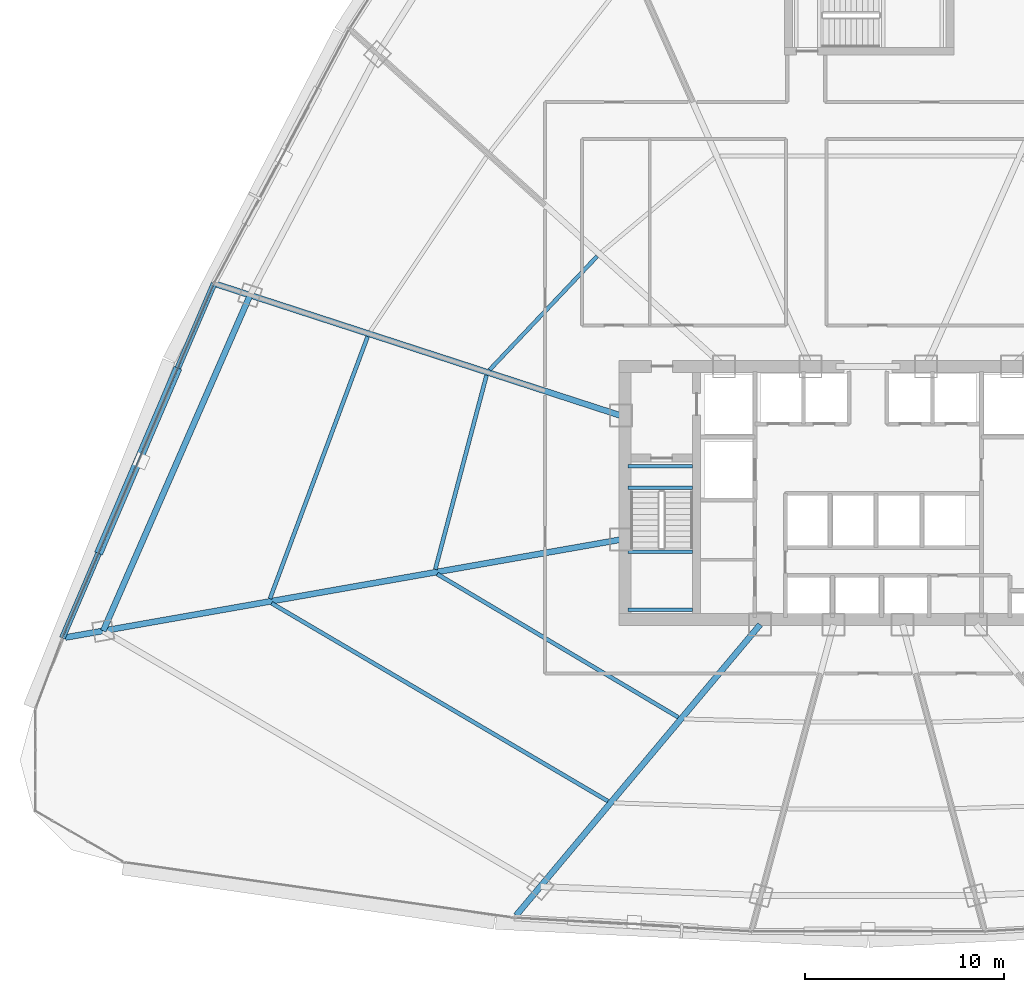
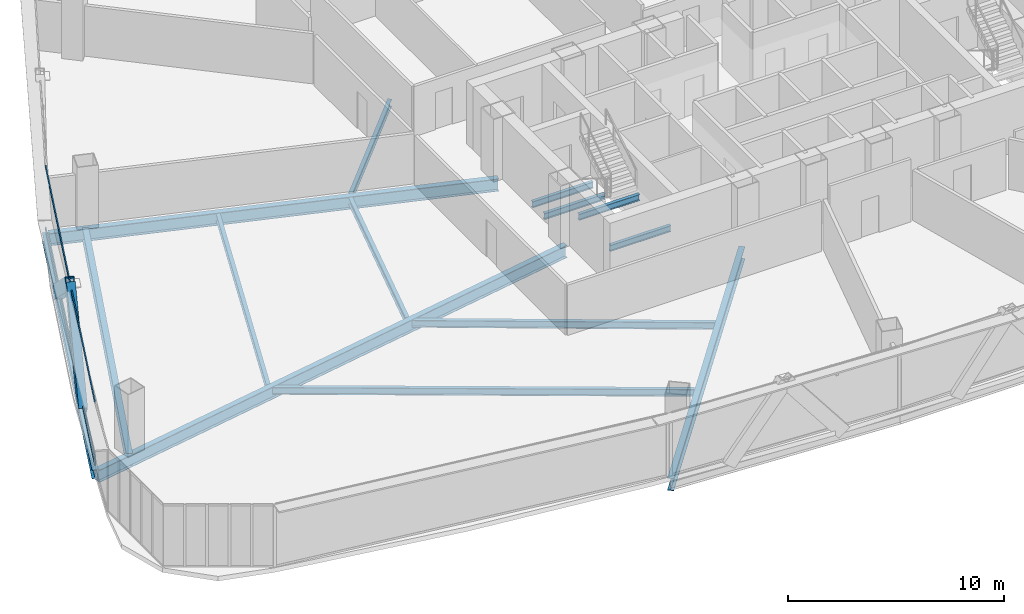
# One storey, part 7 of 39: 14 beams, 4 members, 1 element without a shape of its own.
"""IFC4 building model written with IfcOpenShell, lengths in metres."""

from ifc_helpers import new_model, si_unit, direction, frame, origin, origin_2d, place, context, subcontext, project, spatial, hollow_rectangle, i_section, extrude, source, transform, mapped, material, layer, layer_set, material_profile, profile_set, type_object, element, aggregate, save


model = new_model("IFC4")

# Units and contexts
model_context = context("Model", 3, precision=1e-05, world=origin(), true_north=direction((0.0, 1.0)))
body_context = subcontext(model_context, "Body", "Model", "MODEL_VIEW")
ifc_project = project(units=[si_unit("LENGTHUNIT", "METRE"), si_unit("AREAUNIT", "SQUARE_METRE"), si_unit("VOLUMEUNIT", "CUBIC_METRE"), si_unit("PLANEANGLEUNIT", "RADIAN"), si_unit("MASSUNIT", "GRAM", prefix="KILO"), si_unit("THERMODYNAMICTEMPERATUREUNIT", "KELVIN"), si_unit("POWERUNIT", "WATT")], contexts=[model_context])

# Site, building, storey
site_placement = place(None, origin())
site = spatial("IfcSite", under=ifc_project, at=site_placement, CompositionType="ELEMENT")
building_placement = place(site_placement, origin())
building = spatial("IfcBuilding", under=site, at=building_placement, Name="Yunzhuo Pagoda Commons", CompositionType="ELEMENT")
storey_placement = place(building_placement, frame((0.0, 0.0, 100.179931640625)))
storey = spatial("IfcBuildingStorey", under=building, at=storey_placement, Name="L25", CompositionType="ELEMENT", Elevation=100.179931640625)

# Beams
ifc_material_1 = material(Name="Structural steel Q355B", Category="steel")
ifc_material_profile_1 = material_profile(ifc_material_1, i_section(OverallWidth=0.175048828125, OverallDepth=0.35009765625, WebThickness=0.007080078125, FlangeThickness=0.010986328125, at=origin_2d()), Name="Structural steel Q355B")
ifc_profile_set_1 = profile_set([ifc_material_profile_1], Name="Structural steel Q355B")
beam_type_1 = type_object("IfcBeamType", Name="B-JS2 Joist HN 350x175x7x11", PredefinedType="JOIST", material=ifc_profile_set_1)
shared_shape_1 = source(origin(), body_context, "Body", "SweptSolid", [
    extrude(i_section(OverallWidth=0.175048828125, OverallDepth=0.35009765625, WebThickness=0.007080078125, FlangeThickness=0.010986328125, at=origin_2d()), origin(), (0.0, 0.0, 1.0), 3.25),
])
for number, where, z_axis, x_axis, name in (
    (1, (35.949951171875, 28.0, 1.525146484375), (1.0, 0.0, 0.0), (0.0, 1.0, 0.0), "L25 ST1 landing support beam 31A"),
    (2, (35.949951171875, 30.89990234375, 1.525146484375), (1.0, 0.0, 0.0), (0.0, 1.0, 0.0), "L25 ST1 landing support beam 31B"),
    (3, (35.949951171875, 34.10009765625, -0.375), (1.0, 0.0, 0.0), (0.0, 1.0, 0.0), "L25 ST1 landing support beam 129A"),
    (4, (35.949951171875, 35.199951171875, -0.375), (1.0, 0.0, 0.0), (0.0, 1.0, 0.0), "L25 ST1 landing support beam 129B"),
):
    element("IfcBeam", number, at=place(storey_placement, frame(where, z_axis=z_axis, x_axis=x_axis)), inside=storey, type_object=beam_type_1, Name=name, PredefinedType="JOIST", context=body_context, shape_type="MappedRepresentation", body=[
        mapped(shared_shape_1, transform((0.0, 0.0, 0.0), scale=1.0)),
    ])
ifc_material_profile_2 = material_profile(ifc_material_1, i_section(OverallWidth=0.300048828125, OverallDepth=0.699951171875, WebThickness=0.012939453125, FlangeThickness=0.02392578125, at=origin_2d()), Name="Structural steel Q355B")
ifc_profile_set_2 = profile_set([ifc_material_profile_2], Name="Structural steel Q355B")
beam_type_2 = type_object("IfcBeamType", Name="B-RG1 Beam HN 700x300x13x24", PredefinedType="BEAM", material=ifc_profile_set_2)
shared_shape_2 = source(origin(), body_context, "Body", "SweptSolid", [
    extrude(i_section(OverallWidth=0.300048828125, OverallDepth=0.699951171875, WebThickness=0.012939453125, FlangeThickness=0.02392578125, at=origin_2d()), origin(), (0.0, 0.0, 1.0), 18.37158203125),
])
beam_1_placement = place(storey_placement, frame((17.00927734375, 43.76953125, -0.60986328125), z_axis=(-0.400729599795, -0.916196369698, 0.0), x_axis=(0.916196369698, -0.400729599795, 0.0)))
element("IfcBeam", 5, at=beam_1_placement, inside=storey, type_object=beam_type_2, Name="L25 column-ring beam 11", PredefinedType="BEAM", context=body_context, shape_type="MappedRepresentation", body=[
    mapped(shared_shape_2, transform((0.0, 0.0, 0.0), scale=1.0)),
])
ifc_material_profile_3 = material_profile(ifc_material_1, i_section(OverallWidth=0.199951171875, OverallDepth=0.39990234375, WebThickness=0.008056640625, FlangeThickness=0.012939453125, at=origin_2d()), Name="Structural steel Q355B")
ifc_profile_set_3 = profile_set([ifc_material_profile_3], Name="Structural steel Q355B")
beam_type_3 = type_object("IfcBeamType", Name="B-JS1 Joist HN 400x200x8x13", PredefinedType="JOIST", material=ifc_profile_set_3)
shared_shape_3 = source(origin(), body_context, "Body", "SweptSolid", [
    extrude(i_section(OverallWidth=0.199951171875, OverallDepth=0.39990234375, WebThickness=0.008056640625, FlangeThickness=0.012939453125, at=origin_2d()), origin(), (0.0, 0.0, 1.0), 14.061767578125),
])
beam_2_placement = place(storey_placement, frame((26.393798828125, 29.784912109375, -0.4599609375), z_axis=(0.859683443923, -0.510827149088, 0.0), x_axis=(0.510827149088, 0.859683443923, 0.0)))
element("IfcBeam", 6, at=beam_2_placement, inside=storey, type_object=beam_type_3, Name="L25 composite ring joist 1.12", PredefinedType="JOIST", context=body_context, shape_type="MappedRepresentation", body=[
    mapped(shared_shape_3, transform((0.0, 0.0, 0.0), scale=1.0)),
])
shared_shape_4 = source(origin(), body_context, "Body", "SweptSolid", [
    extrude(i_section(OverallWidth=0.199951171875, OverallDepth=0.39990234375, WebThickness=0.008056640625, FlangeThickness=0.012939453125, at=origin_2d()), origin(), (0.0, 0.0, 1.0), 19.568603515625),
])
beam_3_placement = place(storey_placement, frame((18.089111328125, 28.321044921875, -0.4599609375), z_axis=(0.861862685393, -0.50714170754, 0.0), x_axis=(0.50714170754, 0.861862685393, 0.0)))
element("IfcBeam", 7, at=beam_3_placement, inside=storey, type_object=beam_type_3, Name="L25 composite ring joist 2.12", PredefinedType="JOIST", context=body_context, shape_type="MappedRepresentation", body=[
    mapped(shared_shape_4, transform((0.0, 0.0, 0.0), scale=1.0)),
])
shared_shape_5 = source(origin(), body_context, "Body", "SweptSolid", [
    extrude(i_section(OverallWidth=0.199951171875, OverallDepth=0.39990234375, WebThickness=0.008056640625, FlangeThickness=0.012939453125, at=origin_2d()), origin(), (0.0, 0.0, 1.0), 10.0634765625),
])
beam_4_placement = place(storey_placement, frame((28.86669921875, 39.749755859375, -0.4599609375), z_axis=(-0.255289713136, -0.966864603948, 0.0), x_axis=(0.966864603948, -0.255289713136, 0.0)))
element("IfcBeam", 8, at=beam_4_placement, inside=storey, type_object=beam_type_3, Name="L25 composite ring joist 1.11", PredefinedType="JOIST", context=body_context, shape_type="MappedRepresentation", body=[
    mapped(shared_shape_5, transform((0.0, 0.0, 0.0), scale=1.0)),
])
shared_shape_6 = source(origin(), body_context, "Body", "SweptSolid", [
    extrude(i_section(OverallWidth=0.199951171875, OverallDepth=0.39990234375, WebThickness=0.008056640625, FlangeThickness=0.012939453125, at=origin_2d()), origin(), (0.0, 0.0, 1.0), 7.85009765625),
])
beam_5_placement = place(storey_placement, frame((34.41357421875, 45.719482421875, -0.4599609375), z_axis=(-0.687513423145, -0.726171669095, 0.0), x_axis=(0.726171669095, -0.687513423145, 0.0)))
element("IfcBeam", 9, at=beam_5_placement, inside=storey, type_object=beam_type_3, Name="L25 composite ring joist 1.10", PredefinedType="JOIST", context=body_context, shape_type="MappedRepresentation", body=[
    mapped(shared_shape_6, transform((0.0, 0.0, 0.0), scale=1.0)),
])
shared_shape_7 = source(origin(), body_context, "Body", "SweptSolid", [
    extrude(i_section(OverallWidth=0.199951171875, OverallDepth=0.39990234375, WebThickness=0.008056640625, FlangeThickness=0.012939453125, at=origin_2d()), origin(), (0.0, 0.0, 1.0), 14.018798828125),
])
beam_6_placement = place(storey_placement, frame((22.902587890625, 41.6875, -0.4599609375), z_axis=(-0.349137809065, -0.937071390173, 0.0), x_axis=(0.937071390173, -0.349137809065, 0.0)))
element("IfcBeam", 10, at=beam_6_placement, inside=storey, type_object=beam_type_3, Name="L25 composite ring joist 2.11", PredefinedType="JOIST", context=body_context, shape_type="MappedRepresentation", body=[
    mapped(shared_shape_7, transform((0.0, 0.0, 0.0), scale=1.0)),
])
shared_shape_8 = source(origin(), body_context, "Body", "SweptSolid", [
    extrude(i_section(OverallWidth=0.300048828125, OverallDepth=0.699951171875, WebThickness=0.012939453125, FlangeThickness=0.02392578125, at=origin_2d()), origin(), (0.0, 0.0, 1.0), 19.038330078125),
])
beam_7_placement = place(storey_placement, frame((30.35009765625, 12.666015625, -0.60986328125), z_axis=(0.642799231831, 0.766034690832, 0.0), x_axis=(-0.766034690832, 0.642799231831, 0.0)))
element("IfcBeam", 11, at=beam_7_placement, inside=storey, type_object=beam_type_2, Name="L25 radial floor girder F1C1", PredefinedType="BEAM", context=body_context, shape_type="MappedRepresentation", body=[
    mapped(shared_shape_8, transform((0.0, 0.0, 0.0), scale=1.0)),
])
shared_shape_9 = source(origin(), body_context, "Body", "SweptSolid", [
    extrude(i_section(OverallWidth=0.300048828125, OverallDepth=0.699951171875, WebThickness=0.012939453125, FlangeThickness=0.02392578125, at=origin_2d()), origin(), (0.0, 0.0, 1.0), 28.281005859375),
])
beam_8_placement = place(storey_placement, frame((7.748779296875, 26.6025390625, -0.60986328125), z_axis=(0.984808056581, 0.173646456036, 0.0), x_axis=(-0.173646456036, 0.984808056581, 0.0)))
element("IfcBeam", 12, at=beam_8_placement, inside=storey, type_object=beam_type_2, Name="L25 radial floor girder F3C4", PredefinedType="BEAM", context=body_context, shape_type="MappedRepresentation", body=[
    mapped(shared_shape_9, transform((0.0, 0.0, 0.0), scale=1.0)),
])
shared_shape_10 = source(origin(), body_context, "Body", "SweptSolid", [
    extrude(i_section(OverallWidth=0.300048828125, OverallDepth=0.699951171875, WebThickness=0.012939453125, FlangeThickness=0.02392578125, at=origin_2d()), origin(), (0.0, 0.0, 1.0), 21.291015625),
])
beam_9_placement = place(storey_placement, frame((15.35107421875, 44.308349609375, -0.60986328125), z_axis=(0.951055975763, -0.309018657956, 0.0), x_axis=(0.309018657956, 0.951055975763, 0.0)))
element("IfcBeam", 13, at=beam_9_placement, inside=storey, type_object=beam_type_2, Name="L25 radial floor girder F3C3", PredefinedType="BEAM", context=body_context, shape_type="MappedRepresentation", body=[
    mapped(shared_shape_10, transform((0.0, 0.0, 0.0), scale=1.0)),
])
ifc_material_profile_4 = material_profile(ifc_material_1, i_section(OverallWidth=0.300048828125, OverallDepth=0.488037109375, WebThickness=0.010986328125, FlangeThickness=0.01806640625, at=origin_2d()), Name="Structural steel Q355B")
ifc_profile_set_4 = profile_set([ifc_material_profile_4], Name="Structural steel Q355B")
beam_type_4 = type_object("IfcBeamType", Name="B-SP1 Beam HM 488x300x11x18", PredefinedType="BEAM", material=ifc_profile_set_4)
shared_shape_11 = source(origin(), body_context, "Body", "SweptSolid", [
    extrude(i_section(OverallWidth=0.300048828125, OverallDepth=0.488037109375, WebThickness=0.010986328125, FlangeThickness=0.01806640625, at=origin_2d()), origin(), (0.0, 0.0, 1.0), 19.339599609375),
])
beam_10_placement = place(storey_placement, frame((15.20361328125, 44.356201171875, -0.50390625), z_axis=(-0.393360074903, -0.919384495993, 0.0), x_axis=(0.919384495993, -0.393360074903, 0.0)))
element("IfcBeam", 14, at=beam_10_placement, inside=storey, type_object=beam_type_4, Name="L25 facade edge spandrel beam F3.3", PredefinedType="BEAM", context=body_context, shape_type="MappedRepresentation", body=[
    mapped(shared_shape_11, transform((0.0, 0.0, 0.0), scale=1.0)),
])

# Members
ifc_material_2 = material(Name="Structural steel Q420B", Category="steel")
ifc_material_profile_5 = material_profile(ifc_material_2, hollow_rectangle(XDim=0.419921875, YDim=0.719970703125, WallThickness=0.028076171875, at=origin_2d()), Name="Structural steel Q420B")
ifc_profile_set_5 = profile_set([ifc_material_profile_5], Name="Structural steel Q420B")
member_type_1 = type_object("IfcMemberType", Name="M-DL1 Brace BOX 720x420x28", PredefinedType="BRACE", material=ifc_profile_set_5)
shared_shape_12 = source(origin(), body_context, "Body", "SweptSolid", [
    extrude(hollow_rectangle(XDim=0.419921875, YDim=0.719970703125, WallThickness=0.028076171875, at=origin_2d()), origin(), (0.0, 0.0, 1.0), 6.1494140625),
])
member_1_placement = place(storey_placement, frame((9.498046875, 31.020751953125, -0.260009765625), z_axis=(0.309271130449, 0.722836902707, 0.617946745243), x_axis=(-0.919382542639, 0.393364640367, 0.0)))
element("IfcMember", 15, at=member_1_placement, inside=storey, type_object=member_type_1, Name="L25 facade diamond brace F3.3R", PredefinedType="BRACE", context=body_context, shape_type="MappedRepresentation", body=[
    mapped(shared_shape_12, transform((0.0, 0.0, 0.0), scale=1.0)),
])
shared_shape_13 = source(origin(), body_context, "Body", "SweptSolid", [
    extrude(hollow_rectangle(XDim=0.419921875, YDim=0.719970703125, WallThickness=0.028076171875, at=origin_2d()), origin(), (0.0, 0.0, 1.0), 6.149658203125),
])
member_2_placement = place(storey_placement, frame((13.3017578125, 39.9111328125, -0.260009765625), z_axis=(-0.309262255316, -0.72285585941, 0.617929012067), x_axis=(0.919390355647, -0.393346379091, 0.0)))
element("IfcMember", 16, at=member_2_placement, inside=storey, type_object=member_type_1, Name="L25 facade diamond brace F3.3L", PredefinedType="BRACE", context=body_context, shape_type="MappedRepresentation", body=[
    mapped(shared_shape_13, transform((0.0, 0.0, 0.0), scale=1.0)),
])

# Curtain wall, members
ifc_material_3 = material(Name="Anodized aluminium 6063-T6", Category="aluminium")
ifc_layer = layer(ifc_material_3, 0.1650390625)
ifc_layer_set = layer_set([ifc_layer], Name="Anodized aluminium 6063-T6")
curtain_wall_type = type_object("IfcCurtainWallType", Name="CW-LOW Low-Zone Ribbon Curtain Wall", PredefinedType="NOTDEFINED", material=ifc_layer_set)
curtain_wall_placement = place(storey_placement, origin())
curtain_wall = element("IfcCurtainWall", 17, at=curtain_wall_placement, inside=storey, type_object=curtain_wall_type, Name="L25 curtain wall CW-L25-F3B4", PredefinedType="NOTDEFINED")
ifc_material_profile_6 = material_profile(ifc_material_3, hollow_rectangle(XDim=0.06005859375, YDim=0.139892578125, WallThickness=0.00341796875, at=origin_2d()), Name="Anodized aluminium 6063-T6")
ifc_profile_set_6 = profile_set([ifc_material_profile_6], Name="Anodized aluminium 6063-T6")
member_type_2 = type_object("IfcMemberType", Name="CW-LOW-T Transom RHS 140x60x3.5", PredefinedType="USERDEFINED", material=ifc_profile_set_6)
shared_shape_14 = source(origin(), body_context, "Body", "SweptSolid", [
    extrude(hollow_rectangle(XDim=0.06005859375, YDim=0.139892578125, WallThickness=0.00341796875, at=origin_2d()), origin(), (0.0, 0.0, 1.0), 19.209716796875),
])
member_3_placement = place(storey_placement, frame((15.17822265625, 44.29638671875, 0.030029296875), z_axis=(-0.393377770888, -0.919376924537, 0.0), x_axis=(0.919376924537, -0.393377770888, 0.0)))
member_3 = element("IfcMember", 18, at=member_3_placement, type_object=member_type_2, Name="CW transom 1.1", ObjectType="TRANSOM", PredefinedType="USERDEFINED", context=body_context, shape_type="MappedRepresentation", body=[
    mapped(shared_shape_14, transform((0.0, 0.0, 0.0), scale=1.0)),
])
member_4_placement = place(storey_placement, frame((15.17822265625, 44.29638671875, 3.510009765625), z_axis=(-0.393377770888, -0.919376924537, 0.0), x_axis=(0.919376924537, -0.393377770888, 0.0)))
member_4 = element("IfcMember", 19, at=member_4_placement, type_object=member_type_2, Name="CW transom 1.2", ObjectType="TRANSOM", PredefinedType="USERDEFINED", context=body_context, shape_type="MappedRepresentation", body=[
    mapped(shared_shape_14, transform((0.0, 0.0, 0.0), scale=1.0)),
])
aggregate(curtain_wall, [member_3, member_4])

save(model, "model.ifc")
